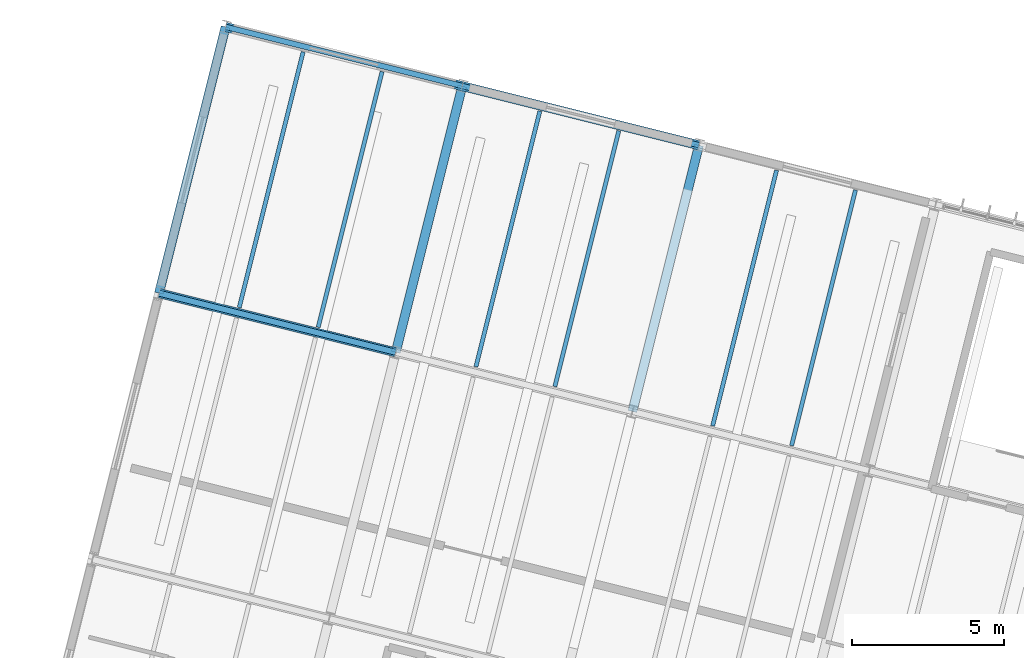
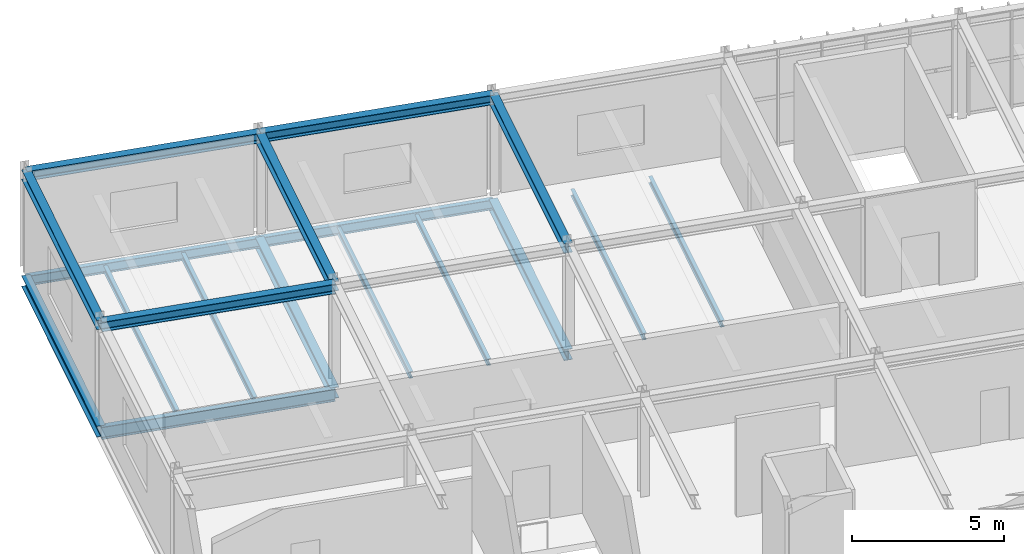
# One storey, part 16 of 30: 18 beams.
"""IFC4 building model written with IfcOpenShell, lengths in metres."""

import ifcopenshell
import ifcopenshell.guid

model = None  # the IFC model being written
_history = None  # IfcOwnerHistory: only IFC2X3 demands one
_inside = {}  # id of a spatial element -> (the spatial element, [elements in it])
_under = {}  # id of a project, library or spatial element -> (it, [spatial elements below it])
_declared = {}  # id of a project -> (the project, [libraries it declares])
_typed = {}  # id of a type object -> (the type object, [elements of that type])
_made_of = {}  # id of a material, layer set ... -> (it, [elements and type objects made of it])


def new_model(schema):
    """Start an empty IFC model of exactly this schema.

    Asked for "IFC4X3", IfcOpenShell would pick the latest addendum, in which some entities
    have other attributes; the version numbers below select the first issue.
    IFC2X3 requires an IfcOwnerHistory on every rooted entity: one is made here for all.
    """
    global model, _history
    if schema == "IFC4X3":
        model = ifcopenshell.file(schema_version=(4, 3, 0, 0))
    else:
        model = ifcopenshell.file(schema=schema)
    _inside.clear()
    _under.clear()
    _declared.clear()
    _typed.clear()
    _made_of.clear()
    _history = None
    if model.schema == "IFC2X3":
        org = make("IfcOrganization", Name="unknown")
        user = make(
            "IfcPersonAndOrganization",
            ThePerson=make("IfcPerson", FamilyName="unknown"),
            TheOrganization=org,
        )
        app = make(
            "IfcApplication",
            ApplicationDeveloper=org,
            Version="unknown",
            ApplicationFullName="unknown",
            ApplicationIdentifier="unknown",
        )
        _history = make(
            "IfcOwnerHistory",
            OwningUser=user,
            OwningApplication=app,
            ChangeAction="ADDED",
            CreationDate=0,
        )
    return model


def make(cls, **values):
    """One entity of the class cls with the attributes given. An attribute that is None is left unset."""
    return model.create_entity(
        cls, **{name: value for name, value in values.items() if value is not None}
    )


def rooted(cls, **values):
    """An entity with a GlobalId (a new one), such as an element, a storey or a relation."""
    return make(cls, GlobalId=ifcopenshell.guid.new(), OwnerHistory=_history, **values)


def si_unit(unit_type, name, prefix=None):
    """IfcSIUnit, for example si_unit("LENGTHUNIT", "METRE", prefix="MILLI")."""
    return make("IfcSIUnit", UnitType=unit_type, Prefix=prefix, Name=name)


def derived_unit(unit_type, elements):
    """IfcDerivedUnit: a product of units, each with its exponent."""
    return make(
        "IfcDerivedUnit",
        Elements=[
            make("IfcDerivedUnitElement", Unit=unit, Exponent=power)
            for unit, power in elements
        ],
        UnitType=unit_type,
    )


def assignment(units):
    """IfcUnitAssignment: the units of a project."""
    return None if units is None else make("IfcUnitAssignment", Units=units)


def point(xyz):
    """IfcCartesianPoint."""
    return None if xyz is None else make("IfcCartesianPoint", Coordinates=xyz)


def direction(xyz):
    """IfcDirection."""
    return None if xyz is None else make("IfcDirection", DirectionRatios=xyz)


def frame(location, z_axis=None, x_axis=None):
    """IfcAxis2Placement3D, a coordinate frame: its origin and axes. An axis left out is left unset."""
    return make(
        "IfcAxis2Placement3D",
        Location=point(location),
        Axis=direction(z_axis),
        RefDirection=direction(x_axis),
    )


def frame_2d(location, x_axis=None):
    """IfcAxis2Placement2D, a coordinate frame in the plane: its origin and x axis."""
    return make(
        "IfcAxis2Placement2D", Location=point(location), RefDirection=direction(x_axis)
    )


def origin():
    """The frame at (0, 0, 0) with its axes left unset."""
    return frame((0.0, 0.0, 0.0))


def origin_2d():
    """The frame at (0, 0) in the plane with its x axis left unset."""
    return frame_2d((0.0, 0.0))


def place(relative_to, where):
    """IfcLocalPlacement: puts the frame where relative to a parent placement (None: the world)."""
    return make(
        "IfcLocalPlacement", PlacementRelTo=relative_to, RelativePlacement=where
    )


def context(
    kind, dimensions, precision=None, world=None, true_north=None, identifier=None
):
    """IfcGeometricRepresentationContext, for example the 3D "Model" context."""
    return make(
        "IfcGeometricRepresentationContext",
        ContextIdentifier=identifier,
        ContextType=kind,
        CoordinateSpaceDimension=dimensions,
        Precision=precision,
        WorldCoordinateSystem=world,
        TrueNorth=true_north,
    )


def subcontext(parent, identifier, kind, view, scale=None):
    """IfcGeometricRepresentationSubContext, for example "Body" below "Model"."""
    return make(
        "IfcGeometricRepresentationSubContext",
        ContextIdentifier=identifier,
        ContextType=kind,
        ParentContext=parent,
        TargetScale=scale,
        TargetView=view,
    )


def project(units=None, contexts=None):
    """IfcProject with its units and contexts."""
    return rooted(
        "IfcProject",
        Name="project",
        RepresentationContexts=contexts,
        UnitsInContext=assignment(units),
    )


def spatial(cls, under=None, at=None, **own):
    """A site, building, storey or space (cls), placed at a placement, below another one or the project."""
    s = rooted(cls, ObjectPlacement=at, **own)
    if under is not None:
        _under.setdefault(under.id(), (under, []))[1].append(s)
    return s


def profile(cls, at=None, kind="AREA", **sizes):
    """A parametric profile (cls). Its sizes go by their IFC names, for example OverallWidth=200.0."""
    return make(cls, ProfileType=kind, Position=at, **sizes)


def i_section(**sizes):
    """IfcIShapeProfileDef."""
    return profile("IfcIShapeProfileDef", **sizes)


def extrude(swept, where, along, depth):
    """IfcExtrudedAreaSolid: the profile swept, set in the frame where, extruded along a direction by depth."""
    return make(
        "IfcExtrudedAreaSolid",
        SweptArea=swept,
        Position=where,
        ExtrudedDirection=direction(along),
        Depth=depth,
    )


def shape(context_of_items, identifier, shape_type, items):
    """IfcShapeRepresentation: the items that make up one representation, for example the "Body"."""
    return make(
        "IfcShapeRepresentation",
        ContextOfItems=context_of_items,
        RepresentationIdentifier=identifier,
        RepresentationType=shape_type,
        Items=items,
    )


def material(Name=None, Category=None):
    """IfcMaterial."""
    return make("IfcMaterial", Name=Name, Category=Category)


def material_profile(
    of_material, cross_section, Name=None, Category=None, Priority=None
):
    """IfcMaterialProfile: a cross section and its material."""
    return make(
        "IfcMaterialProfile",
        Name=Name,
        Material=of_material,
        Profile=cross_section,
        Priority=Priority,
        Category=Category,
    )


def profile_set(profiles, Name=None, composite=None):
    """IfcMaterialProfileSet."""
    return make(
        "IfcMaterialProfileSet",
        Name=Name,
        MaterialProfiles=profiles,
        CompositeProfile=composite,
    )


def made_of(thing, what):
    """Note that an element or type object is made of a material, layer set ...; save() writes the relation."""
    if what is not None:
        _made_of.setdefault(what.id(), (what, []))[1].append(thing)
    return thing


def type_object(cls, material=None, **own):
    """A type object (cls), such as IfcWallType, which elements share."""
    return made_of(rooted(cls, **own), material)


def element(
    cls,
    number,
    at=None,
    inside=None,
    cuts=None,
    type_object=None,
    material=None,
    context=None,
    identifier="Body",
    shape_type=None,
    held_by="IfcProductDefinitionShape",
    body=None,
    shapes=None,
    **own,
):
    """One element of the class cls, such as IfcWall. Its Tag is "e" and its number.

    at: its placement. inside: the storey or other place that contains it. cuts: it is an
    opening in that element (IfcRelVoidsElement). A single representation is given by context,
    identifier, shape_type and body (its items); several are given by shapes. held_by: the class
    of the entity that holds the representations. save() writes the other relations.
    """
    e = rooted(cls, Tag="e%d" % number, ObjectPlacement=at, **own)
    if body is not None:
        shapes = [shape(context, identifier, shape_type, body)]
    if shapes is not None:
        e.Representation = make(held_by, Representations=shapes)
    if inside is not None:
        _inside.setdefault(inside.id(), (inside, []))[1].append(e)
    if cuts is not None:
        rooted(
            "IfcRelVoidsElement", RelatingBuildingElement=cuts, RelatedOpeningElement=e
        )
    if type_object is not None:
        _typed.setdefault(type_object.id(), (type_object, []))[1].append(e)
    return made_of(e, material)


def aggregate(whole, parts):
    """IfcRelAggregates: a whole, such as a stair, and the parts it consists of."""
    return rooted("IfcRelAggregates", RelatingObject=whole, RelatedObjects=parts)


def save(model, path):
    """Write the relations noted so far, then the file.

    IfcRelAggregates (storeys below a building ...), IfcRelContainedInSpatialStructure (elements
    in a storey), IfcRelDefinesByType, IfcRelAssociatesMaterial and IfcRelDeclares: one each for
    every whole, place, type object, material and project.
    """
    for whole, parts in _under.values():
        aggregate(whole, parts)
    for where, things in _inside.values():
        rooted(
            "IfcRelContainedInSpatialStructure",
            RelatedElements=things,
            RelatingStructure=where,
        )
    for kind, things in _typed.values():
        rooted("IfcRelDefinesByType", RelatedObjects=things, RelatingType=kind)
    for what, things in _made_of.values():
        rooted("IfcRelAssociatesMaterial", RelatedObjects=things, RelatingMaterial=what)
    for by, libraries in _declared.values():
        rooted("IfcRelDeclares", RelatingContext=by, RelatedDefinitions=libraries)
    model.write(path)


model = new_model("IFC4")

# Units and contexts
model_context = context("Model", 3, precision=1e-05, world=origin(), true_north=direction((0.0, 1.0)))
body_context = subcontext(model_context, "Body", "Model", "MODEL_VIEW")
ifc_project = project(units=[si_unit("LENGTHUNIT", "METRE"), si_unit("AREAUNIT", "SQUARE_METRE"), si_unit("VOLUMEUNIT", "CUBIC_METRE"), si_unit("PLANEANGLEUNIT", "RADIAN"), si_unit("MASSUNIT", "GRAM", prefix="KILO"), si_unit("THERMODYNAMICTEMPERATUREUNIT", "KELVIN"), si_unit("TIMEUNIT", "SECOND"), derived_unit("THERMALTRANSMITTANCEUNIT", [(si_unit("MASSUNIT", "GRAM", prefix="KILO"), 1), (si_unit("THERMODYNAMICTEMPERATUREUNIT", "KELVIN"), -1), (si_unit("TIMEUNIT", "SECOND"), -3)])], contexts=[model_context])

# Site, building, storey
site_placement = place(None, origin())
site = spatial("IfcSite", under=ifc_project, at=site_placement, CompositionType="ELEMENT")
building_placement = place(site_placement, origin())
building = spatial("IfcBuilding", under=site, at=building_placement, Name="Cambertide Market Hall", CompositionType="ELEMENT")
storey_placement = place(building_placement, frame((0.0, 0.0, 14.10009765625)))
storey = spatial("IfcBuildingStorey", under=building, at=storey_placement, Name="L04", CompositionType="ELEMENT", Elevation=14.10009765625)

# Beams
ifc_material_1 = material(Name="Steel S355", Category="steel")
ifc_material_profile_1 = material_profile(ifc_material_1, i_section(OverallWidth=0.300048828125, OverallDepth=0.389892578125, WebThickness=0.010986328125, FlangeThickness=0.01904296875, FilletRadius=0.027099609375, at=origin_2d()), Name="HEA 400")
ifc_profile_set_1 = profile_set([ifc_material_profile_1], Name="Steel S355")
beam_type_1 = type_object("IfcBeamType", Name="Exterior Steel Girder HEA 400", PredefinedType="BEAM", material=ifc_profile_set_1)
beam_1_placement = place(storey_placement, frame((112.36572265625, 117.462646484375, 3.804931640625), z_axis=(0.970137114374, -0.242557167103, 0.0), x_axis=(0.242557167103, 0.970137114374, 0.0)))
element("IfcBeam", 1, at=beam_1_placement, inside=storey, type_object=beam_type_1, Name="Level 4 Beam BM-V4U-RF-1-3", PredefinedType="BEAM", context=body_context, shape_type="SweptSolid", body=[
    extrude(i_section(OverallWidth=0.300048828125, OverallDepth=0.389892578125, WebThickness=0.010986328125, FlangeThickness=0.01904296875, FilletRadius=0.027099609375, at=origin_2d()), origin(), (0.0, 0.0, 1.0), 8.0),
])
beam_2_placement = place(storey_placement, frame((114.548583984375, 126.19384765625, 3.804931640625), z_axis=(0.970144295309, -0.242528444268, 0.0), x_axis=(0.242528444268, 0.970144295309, 0.0)))
element("IfcBeam", 2, at=beam_2_placement, inside=storey, type_object=beam_type_1, Name="Level 4 Beam BM-V4U-RF-1-4", PredefinedType="BEAM", context=body_context, shape_type="SweptSolid", body=[
    extrude(i_section(OverallWidth=0.300048828125, OverallDepth=0.389892578125, WebThickness=0.010986328125, FlangeThickness=0.01904296875, FilletRadius=0.027099609375, at=origin_2d()), origin(), (0.0, 0.0, 1.0), 7.999755859375),
])
beam_3_placement = place(storey_placement, frame((122.3095703125, 124.253662109375, 3.804931640625), z_axis=(0.970138909791, -0.242549986002, 0.0), x_axis=(0.242549986002, 0.970138909791, 0.0)))
element("IfcBeam", 3, at=beam_3_placement, inside=storey, type_object=beam_type_1, Name="Level 4 Beam BM-V4U-RF-2-4", PredefinedType="BEAM", context=body_context, shape_type="SweptSolid", body=[
    extrude(i_section(OverallWidth=0.300048828125, OverallDepth=0.389892578125, WebThickness=0.010986328125, FlangeThickness=0.01904296875, FilletRadius=0.027099609375, at=origin_2d()), origin(), (0.0, 0.0, 1.0), 8.000244140625),
])
beam_4_placement = place(storey_placement, frame((112.36572265625, 117.462646484375, 3.804931640625), z_axis=(0.242542007841, 0.970140904422, 0.0), x_axis=(-0.970140904422, 0.242542007841, 0.0)))
element("IfcBeam", 4, at=beam_4_placement, inside=storey, type_object=beam_type_1, Name="Level 4 Beam BM-V4V-RF-1-3", PredefinedType="BEAM", context=body_context, shape_type="SweptSolid", body=[
    extrude(i_section(OverallWidth=0.300048828125, OverallDepth=0.389892578125, WebThickness=0.010986328125, FlangeThickness=0.01904296875, FilletRadius=0.027099609375, at=origin_2d()), origin(), (0.0, 0.0, 1.0), 9.0),
])
beam_5_placement = place(storey_placement, frame((120.126708984375, 115.522216796875, 3.804931640625), z_axis=(0.242535625036, 0.970142500145, 0.0), x_axis=(-0.970142500145, 0.242535625036, 0.0)))
element("IfcBeam", 5, at=beam_5_placement, inside=storey, type_object=beam_type_1, Name="Level 4 Beam BM-V4V-RF-2-3", PredefinedType="BEAM", context=body_context, shape_type="SweptSolid", body=[
    extrude(i_section(OverallWidth=0.300048828125, OverallDepth=0.389892578125, WebThickness=0.010986328125, FlangeThickness=0.01904296875, FilletRadius=0.027099609375, at=origin_2d()), origin(), (0.0, 0.0, 1.0), 9.000244140625),
])
beam_6_placement = place(storey_placement, frame((127.887939453125, 113.58203125, 3.804931640625), z_axis=(0.242542007841, 0.970140904422, 0.0), x_axis=(-0.970140904422, 0.242542007841, 0.0)))
element("IfcBeam", 6, at=beam_6_placement, inside=storey, type_object=beam_type_1, Name="Level 4 Beam BM-V4V-RF-3-3", PredefinedType="BEAM", context=body_context, shape_type="SweptSolid", body=[
    extrude(i_section(OverallWidth=0.300048828125, OverallDepth=0.389892578125, WebThickness=0.010986328125, FlangeThickness=0.01904296875, FilletRadius=0.027099609375, at=origin_2d()), origin(), (0.0, 0.0, 1.0), 9.0),
])
ifc_material_2 = material(Name="Steel S355", Category="steel")
ifc_material_profile_2 = material_profile(ifc_material_2, i_section(OverallWidth=0.179931640625, OverallDepth=0.39990234375, WebThickness=0.008544921875, FlangeThickness=0.013427734375, FilletRadius=0.02099609375, at=origin_2d()), Name="IPE 400")
ifc_profile_set_2 = profile_set([ifc_material_profile_2], Name="Steel S355")
beam_type_2 = type_object("IfcBeamType", Name="Perimeter Spandrel Beam IPE 400", PredefinedType="SPANDREL", material=ifc_profile_set_2)
beam_7_placement = place(storey_placement, frame((114.548583984375, 126.19384765625, -0.455078125), z_axis=(0.970144295309, -0.242528444268, 0.0), x_axis=(0.242528444268, 0.970144295309, 0.0)))
element("IfcBeam", 7, at=beam_7_placement, inside=storey, type_object=beam_type_2, Name="Level 4 Spandrel BM-V4U-L04-1-4", PredefinedType="SPANDREL", context=body_context, shape_type="SweptSolid", body=[
    extrude(i_section(OverallWidth=0.179931640625, OverallDepth=0.39990234375, WebThickness=0.008544921875, FlangeThickness=0.013427734375, FilletRadius=0.02099609375, at=origin_2d()), origin(), (0.0, 0.0, 1.0), 7.999755859375),
])
beam_8_placement = place(storey_placement, frame((122.3095703125, 124.253662109375, -0.455078125), z_axis=(0.970138909791, -0.242549986002, 0.0), x_axis=(0.242549986002, 0.970138909791, 0.0)))
element("IfcBeam", 8, at=beam_8_placement, inside=storey, type_object=beam_type_2, Name="Level 4 Spandrel BM-V4U-L04-2-4", PredefinedType="SPANDREL", context=body_context, shape_type="SweptSolid", body=[
    extrude(i_section(OverallWidth=0.179931640625, OverallDepth=0.39990234375, WebThickness=0.008544921875, FlangeThickness=0.013427734375, FilletRadius=0.02099609375, at=origin_2d()), origin(), (0.0, 0.0, 1.0), 8.000244140625),
])
ifc_material_3 = material(Name="Steel S355", Category="steel")
ifc_material_profile_3 = material_profile(ifc_material_3, i_section(OverallWidth=0.300048828125, OverallDepth=0.449951171875, WebThickness=0.013916015625, FlangeThickness=0.02587890625, FilletRadius=0.027099609375, at=origin_2d()), Name="HEB 450")
ifc_profile_set_3 = profile_set([ifc_material_profile_3], Name="Steel S355")
beam_type_3 = type_object("IfcBeamType", Name="Steel Girder HEB 450", PredefinedType="BEAM", material=ifc_profile_set_3)
beam_9_placement = place(storey_placement, frame((112.36572265625, 117.462646484375, -0.47998046875), z_axis=(0.242542007841, 0.970140904422, 0.0), x_axis=(-0.970140904422, 0.242542007841, 0.0)))
element("IfcBeam", 9, at=beam_9_placement, inside=storey, type_object=beam_type_3, Name="Level 4 Beam BM-V4V-L04-1-3", PredefinedType="BEAM", context=body_context, shape_type="SweptSolid", body=[
    extrude(i_section(OverallWidth=0.300048828125, OverallDepth=0.449951171875, WebThickness=0.013916015625, FlangeThickness=0.02587890625, FilletRadius=0.027099609375, at=origin_2d()), origin(), (0.0, 0.0, 1.0), 9.0),
])
beam_10_placement = place(storey_placement, frame((120.126708984375, 115.522216796875, -0.47998046875), z_axis=(0.242535625036, 0.970142500145, 0.0), x_axis=(-0.970142500145, 0.242535625036, 0.0)))
element("IfcBeam", 10, at=beam_10_placement, inside=storey, type_object=beam_type_3, Name="Level 4 Beam BM-V4V-L04-2-3", PredefinedType="BEAM", context=body_context, shape_type="SweptSolid", body=[
    extrude(i_section(OverallWidth=0.300048828125, OverallDepth=0.449951171875, WebThickness=0.013916015625, FlangeThickness=0.02587890625, FilletRadius=0.027099609375, at=origin_2d()), origin(), (0.0, 0.0, 1.0), 9.000244140625),
])
beam_11_placement = place(storey_placement, frame((127.887939453125, 113.58203125, -0.47998046875), z_axis=(0.242542007841, 0.970140904422, 0.0), x_axis=(-0.970140904422, 0.242542007841, 0.0)))
element("IfcBeam", 11, at=beam_11_placement, inside=storey, type_object=beam_type_3, Name="Level 4 Beam BM-V4V-L04-3-3", PredefinedType="BEAM", context=body_context, shape_type="SweptSolid", body=[
    extrude(i_section(OverallWidth=0.300048828125, OverallDepth=0.449951171875, WebThickness=0.013916015625, FlangeThickness=0.02587890625, FilletRadius=0.027099609375, at=origin_2d()), origin(), (0.0, 0.0, 1.0), 9.0),
])
ifc_material_4 = material(Name="Steel S355", Category="steel")
ifc_material_profile_4 = material_profile(ifc_material_4, i_section(OverallWidth=0.199951171875, OverallDepth=0.5, WebThickness=0.01025390625, FlangeThickness=0.01611328125, FilletRadius=0.02099609375, at=origin_2d()), Name="IPE 500")
ifc_profile_set_4 = profile_set([ifc_material_profile_4], Name="Steel S355")
beam_type_4 = type_object("IfcBeamType", Name="Steel Girder IPE 500", PredefinedType="BEAM", material=ifc_profile_set_4)
beam_12_placement = place(storey_placement, frame((112.36572265625, 117.462646484375, -0.505126953125), z_axis=(0.970137114374, -0.242557167103, 0.0), x_axis=(0.242557167103, 0.970137114374, 0.0)))
element("IfcBeam", 12, at=beam_12_placement, inside=storey, type_object=beam_type_4, Name="Level 4 Beam BM-V4U-L04-1-3", PredefinedType="BEAM", context=body_context, shape_type="SweptSolid", body=[
    extrude(i_section(OverallWidth=0.199951171875, OverallDepth=0.5, WebThickness=0.01025390625, FlangeThickness=0.01611328125, FilletRadius=0.02099609375, at=origin_2d()), origin(), (0.0, 0.0, 1.0), 8.0),
])
ifc_material_5 = material(Name="Steel S275", Category="steel")
ifc_material_profile_5 = material_profile(ifc_material_5, i_section(OverallWidth=0.135009765625, OverallDepth=0.27001953125, WebThickness=0.006591796875, FlangeThickness=0.01025390625, FilletRadius=0.014892578125, at=origin_2d()), Name="IPE 270")
ifc_profile_set_5 = profile_set([ifc_material_profile_5], Name="Steel S275")
beam_type_5 = type_object("IfcBeamType", Name="Steel Secondary Joist IPE 270", PredefinedType="JOIST", material=ifc_profile_set_5)
beam_13_placement = place(storey_placement, frame((114.996337890625, 116.990478515625, -0.39013671875), z_axis=(0.242528976348, 0.970144162293, 0.0), x_axis=(-0.970144162293, 0.242528976348, 0.0)))
element("IfcBeam", 13, at=beam_13_placement, inside=storey, type_object=beam_type_5, Name="Level 4 Joist JS-V4-L04-1-3-1", PredefinedType="JOIST", context=body_context, shape_type="SweptSolid", body=[
    extrude(i_section(OverallWidth=0.135009765625, OverallDepth=0.27001953125, WebThickness=0.006591796875, FlangeThickness=0.01025390625, FilletRadius=0.014892578125, at=origin_2d()), origin(), (0.0, 0.0, 1.0), 8.64013671875),
])
beam_14_placement = place(storey_placement, frame((117.58349609375, 116.34375, -0.39013671875), z_axis=(0.242535625036, 0.970142500145, 0.0), x_axis=(-0.970142500145, 0.242535625036, 0.0)))
element("IfcBeam", 14, at=beam_14_placement, inside=storey, type_object=beam_type_5, Name="Level 4 Joist JS-V4-L04-1-3-2", PredefinedType="JOIST", context=body_context, shape_type="SweptSolid", body=[
    extrude(i_section(OverallWidth=0.135009765625, OverallDepth=0.27001953125, WebThickness=0.006591796875, FlangeThickness=0.01025390625, FilletRadius=0.014892578125, at=origin_2d()), origin(), (0.0, 0.0, 1.0), 8.639892578125),
])
for number, where, z_axis, x_axis, name in (
    (15, (122.757568359375, 115.050048828125, -0.39013671875), (0.242528976348, 0.970144162293, 0.0), (-0.970144162293, 0.242528976348, 0.0), "Level 4 Joist JS-V4-L04-2-3-1"),
    (16, (125.344482421875, 114.4033203125, -0.39013671875), (0.242528976348, 0.970144162293, 0.0), (-0.970144162293, 0.242528976348, 0.0), "Level 4 Joist JS-V4-L04-2-3-2"),
    (17, (130.5185546875, 113.10986328125, -0.39013671875), (0.242528976348, 0.970144162293, 0.0), (-0.970144162293, 0.242528976348, 0.0), "Level 4 Joist JS-V4-L04-3-3-1"),
    (18, (133.105712890625, 112.463134765625, -0.39013671875), (0.242528976348, 0.970144162293, 0.0), (-0.970144162293, 0.242528976348, 0.0), "Level 4 Joist JS-V4-L04-3-3-2"),
):
    element("IfcBeam", number, at=place(storey_placement, frame(where, z_axis=z_axis, x_axis=x_axis)), inside=storey, type_object=beam_type_5, Name=name, PredefinedType="JOIST", context=body_context, shape_type="SweptSolid", body=[
        extrude(i_section(OverallWidth=0.135009765625, OverallDepth=0.27001953125, WebThickness=0.006591796875, FlangeThickness=0.01025390625, FilletRadius=0.014892578125, at=origin_2d()), origin(), (0.0, 0.0, 1.0), 8.64013671875),
    ])

save(model, "model.ifc")
